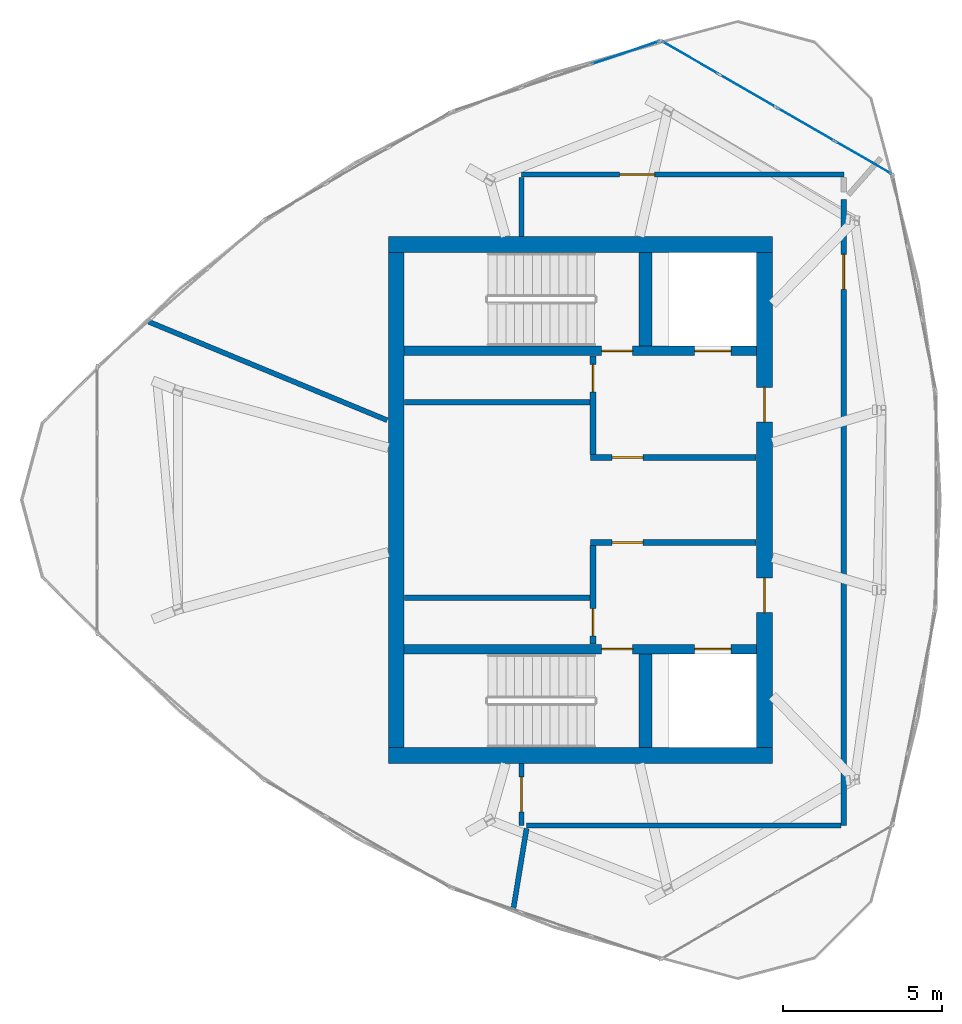
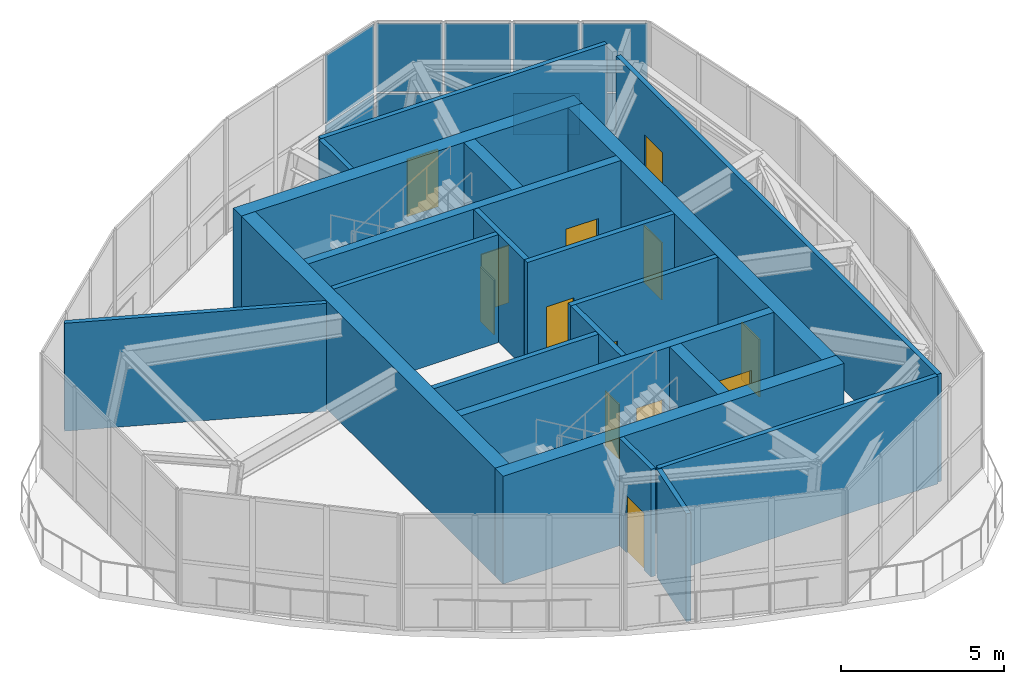
# One storey, part 7 of 10: 21 walls, 13 doors, 9 plates, 13 openings, 2 elements without a shape of their own.
"""IFC4 building model written with IfcOpenShell, lengths in metres."""

import ifcopenshell
import ifcopenshell.guid

model = None  # the IFC model being written
_history = None  # IfcOwnerHistory: only IFC2X3 demands one
_inside = {}  # id of a spatial element -> (the spatial element, [elements in it])
_under = {}  # id of a project, library or spatial element -> (it, [spatial elements below it])
_declared = {}  # id of a project -> (the project, [libraries it declares])
_typed = {}  # id of a type object -> (the type object, [elements of that type])
_made_of = {}  # id of a material, layer set ... -> (it, [elements and type objects made of it])


def new_model(schema):
    """Start an empty IFC model of exactly this schema.

    Asked for "IFC4X3", IfcOpenShell would pick the latest addendum, in which some entities
    have other attributes; the version numbers below select the first issue.
    IFC2X3 requires an IfcOwnerHistory on every rooted entity: one is made here for all.
    """
    global model, _history
    if schema == "IFC4X3":
        model = ifcopenshell.file(schema_version=(4, 3, 0, 0))
    else:
        model = ifcopenshell.file(schema=schema)
    _inside.clear()
    _under.clear()
    _declared.clear()
    _typed.clear()
    _made_of.clear()
    _history = None
    if model.schema == "IFC2X3":
        org = make("IfcOrganization", Name="unknown")
        user = make(
            "IfcPersonAndOrganization",
            ThePerson=make("IfcPerson", FamilyName="unknown"),
            TheOrganization=org,
        )
        app = make(
            "IfcApplication",
            ApplicationDeveloper=org,
            Version="unknown",
            ApplicationFullName="unknown",
            ApplicationIdentifier="unknown",
        )
        _history = make(
            "IfcOwnerHistory",
            OwningUser=user,
            OwningApplication=app,
            ChangeAction="ADDED",
            CreationDate=0,
        )
    return model


def make(cls, **values):
    """One entity of the class cls with the attributes given. An attribute that is None is left unset."""
    return model.create_entity(
        cls, **{name: value for name, value in values.items() if value is not None}
    )


def rooted(cls, **values):
    """An entity with a GlobalId (a new one), such as an element, a storey or a relation."""
    return make(cls, GlobalId=ifcopenshell.guid.new(), OwnerHistory=_history, **values)


def si_unit(unit_type, name, prefix=None):
    """IfcSIUnit, for example si_unit("LENGTHUNIT", "METRE", prefix="MILLI")."""
    return make("IfcSIUnit", UnitType=unit_type, Prefix=prefix, Name=name)


def assignment(units):
    """IfcUnitAssignment: the units of a project."""
    return None if units is None else make("IfcUnitAssignment", Units=units)


def point(xyz):
    """IfcCartesianPoint."""
    return None if xyz is None else make("IfcCartesianPoint", Coordinates=xyz)


def direction(xyz):
    """IfcDirection."""
    return None if xyz is None else make("IfcDirection", DirectionRatios=xyz)


def frame(location, z_axis=None, x_axis=None):
    """IfcAxis2Placement3D, a coordinate frame: its origin and axes. An axis left out is left unset."""
    return make(
        "IfcAxis2Placement3D",
        Location=point(location),
        Axis=direction(z_axis),
        RefDirection=direction(x_axis),
    )


def frame_2d(location, x_axis=None):
    """IfcAxis2Placement2D, a coordinate frame in the plane: its origin and x axis."""
    return make(
        "IfcAxis2Placement2D", Location=point(location), RefDirection=direction(x_axis)
    )


def origin():
    """The frame at (0, 0, 0) with its axes left unset."""
    return frame((0.0, 0.0, 0.0))


def origin_2d():
    """The frame at (0, 0) in the plane with its x axis left unset."""
    return frame_2d((0.0, 0.0))


def place(relative_to, where):
    """IfcLocalPlacement: puts the frame where relative to a parent placement (None: the world)."""
    return make(
        "IfcLocalPlacement", PlacementRelTo=relative_to, RelativePlacement=where
    )


def context(
    kind, dimensions, precision=None, world=None, true_north=None, identifier=None
):
    """IfcGeometricRepresentationContext, for example the 3D "Model" context."""
    return make(
        "IfcGeometricRepresentationContext",
        ContextIdentifier=identifier,
        ContextType=kind,
        CoordinateSpaceDimension=dimensions,
        Precision=precision,
        WorldCoordinateSystem=world,
        TrueNorth=true_north,
    )


def subcontext(parent, identifier, kind, view, scale=None):
    """IfcGeometricRepresentationSubContext, for example "Body" below "Model"."""
    return make(
        "IfcGeometricRepresentationSubContext",
        ContextIdentifier=identifier,
        ContextType=kind,
        ParentContext=parent,
        TargetScale=scale,
        TargetView=view,
    )


def project(units=None, contexts=None):
    """IfcProject with its units and contexts."""
    return rooted(
        "IfcProject",
        Name="project",
        RepresentationContexts=contexts,
        UnitsInContext=assignment(units),
    )


def spatial(cls, under=None, at=None, **own):
    """A site, building, storey or space (cls), placed at a placement, below another one or the project."""
    s = rooted(cls, ObjectPlacement=at, **own)
    if under is not None:
        _under.setdefault(under.id(), (under, []))[1].append(s)
    return s


def profile(cls, at=None, kind="AREA", **sizes):
    """A parametric profile (cls). Its sizes go by their IFC names, for example OverallWidth=200.0."""
    return make(cls, ProfileType=kind, Position=at, **sizes)


def rectangle(**sizes):
    """IfcRectangleProfileDef."""
    return profile("IfcRectangleProfileDef", **sizes)


def extrude(swept, where, along, depth):
    """IfcExtrudedAreaSolid: the profile swept, set in the frame where, extruded along a direction by depth."""
    return make(
        "IfcExtrudedAreaSolid",
        SweptArea=swept,
        Position=where,
        ExtrudedDirection=direction(along),
        Depth=depth,
    )


def shape(context_of_items, identifier, shape_type, items):
    """IfcShapeRepresentation: the items that make up one representation, for example the "Body"."""
    return make(
        "IfcShapeRepresentation",
        ContextOfItems=context_of_items,
        RepresentationIdentifier=identifier,
        RepresentationType=shape_type,
        Items=items,
    )


def source(mapping_origin, context_of_items, identifier, shape_type, items):
    """IfcRepresentationMap: a shape defined once, which mapped items show again and again."""
    return make(
        "IfcRepresentationMap",
        MappingOrigin=mapping_origin,
        MappedRepresentation=shape(context_of_items, identifier, shape_type, items),
    )


def transform(
    local_origin,
    x_axis=None,
    y_axis=None,
    z_axis=None,
    scale=None,
    scale2=None,
    scale3=None,
    uniform=True,
):
    """IfcCartesianTransformationOperator3D, or its non-uniform kind. x_axis, y_axis, z_axis: its Axis1, 2, 3."""
    if uniform:
        return make(
            "IfcCartesianTransformationOperator3D",
            Axis1=direction(x_axis),
            Axis2=direction(y_axis),
            LocalOrigin=point(local_origin),
            Scale=scale,
            Axis3=direction(z_axis),
        )
    return make(
        "IfcCartesianTransformationOperator3DnonUniform",
        Axis1=direction(x_axis),
        Axis2=direction(y_axis),
        LocalOrigin=point(local_origin),
        Scale=scale,
        Axis3=direction(z_axis),
        Scale2=scale2,
        Scale3=scale3,
    )


def mapped(mapping_source, mapping_target):
    """IfcMappedItem: shows the shape of a source again, moved by a transform."""
    return make(
        "IfcMappedItem", MappingSource=mapping_source, MappingTarget=mapping_target
    )


def material(Name=None, Category=None):
    """IfcMaterial."""
    return make("IfcMaterial", Name=Name, Category=Category)


def layer(
    of_material, thickness, ventilated=None, Name=None, Category=None, Priority=None
):
    """IfcMaterialLayer: one layer of a wall or slab, of a material (None: an air gap)."""
    return make(
        "IfcMaterialLayer",
        Material=of_material,
        LayerThickness=thickness,
        IsVentilated=ventilated,
        Name=Name,
        Category=Category,
        Priority=Priority,
    )


def layer_set(layers, Name=None):
    """IfcMaterialLayerSet."""
    return make("IfcMaterialLayerSet", MaterialLayers=layers, LayerSetName=Name)


def made_of(thing, what):
    """Note that an element or type object is made of a material, layer set ...; save() writes the relation."""
    if what is not None:
        _made_of.setdefault(what.id(), (what, []))[1].append(thing)
    return thing


def type_object(cls, material=None, **own):
    """A type object (cls), such as IfcWallType, which elements share."""
    return made_of(rooted(cls, **own), material)


def element(
    cls,
    number,
    at=None,
    inside=None,
    cuts=None,
    type_object=None,
    material=None,
    context=None,
    identifier="Body",
    shape_type=None,
    held_by="IfcProductDefinitionShape",
    body=None,
    shapes=None,
    **own,
):
    """One element of the class cls, such as IfcWall. Its Tag is "e" and its number.

    at: its placement. inside: the storey or other place that contains it. cuts: it is an
    opening in that element (IfcRelVoidsElement). A single representation is given by context,
    identifier, shape_type and body (its items); several are given by shapes. held_by: the class
    of the entity that holds the representations. save() writes the other relations.
    """
    e = rooted(cls, Tag="e%d" % number, ObjectPlacement=at, **own)
    if body is not None:
        shapes = [shape(context, identifier, shape_type, body)]
    if shapes is not None:
        e.Representation = make(held_by, Representations=shapes)
    if inside is not None:
        _inside.setdefault(inside.id(), (inside, []))[1].append(e)
    if cuts is not None:
        rooted(
            "IfcRelVoidsElement", RelatingBuildingElement=cuts, RelatedOpeningElement=e
        )
    if type_object is not None:
        _typed.setdefault(type_object.id(), (type_object, []))[1].append(e)
    return made_of(e, material)


def fill(opening, filler):
    """IfcRelFillsElement: the door or window that sits in an opening."""
    return rooted(
        "IfcRelFillsElement",
        RelatingOpeningElement=opening,
        RelatedBuildingElement=filler,
    )


def aggregate(whole, parts):
    """IfcRelAggregates: a whole, such as a stair, and the parts it consists of."""
    return rooted("IfcRelAggregates", RelatingObject=whole, RelatedObjects=parts)


def save(model, path):
    """Write the relations noted so far, then the file.

    IfcRelAggregates (storeys below a building ...), IfcRelContainedInSpatialStructure (elements
    in a storey), IfcRelDefinesByType, IfcRelAssociatesMaterial and IfcRelDeclares: one each for
    every whole, place, type object, material and project.
    """
    for whole, parts in _under.values():
        aggregate(whole, parts)
    for where, things in _inside.values():
        rooted(
            "IfcRelContainedInSpatialStructure",
            RelatedElements=things,
            RelatingStructure=where,
        )
    for kind, things in _typed.values():
        rooted("IfcRelDefinesByType", RelatedObjects=things, RelatingType=kind)
    for what, things in _made_of.values():
        rooted("IfcRelAssociatesMaterial", RelatedObjects=things, RelatingMaterial=what)
    for by, libraries in _declared.values():
        rooted("IfcRelDeclares", RelatingContext=by, RelatedDefinitions=libraries)
    model.write(path)


model = new_model("IFC4")

# Units and contexts
model_context = context("Model", 3, precision=1e-05, world=origin(), true_north=direction((0.0, 1.0)))
body_context = subcontext(model_context, "Body", "Model", "MODEL_VIEW")
ifc_project = project(units=[si_unit("LENGTHUNIT", "METRE"), si_unit("AREAUNIT", "SQUARE_METRE"), si_unit("VOLUMEUNIT", "CUBIC_METRE"), si_unit("PLANEANGLEUNIT", "RADIAN"), si_unit("MASSUNIT", "GRAM", prefix="KILO")], contexts=[model_context])

# Site, building, storey
site_placement = place(None, origin())
site = spatial("IfcSite", under=ifc_project, at=site_placement, CompositionType="ELEMENT")
building_placement = place(site_placement, origin())
building = spatial("IfcBuilding", under=site, at=building_placement, Name="Qafzar Sky-Pleat Residences", CompositionType="ELEMENT")
storey_placement = place(building_placement, frame((0.0, 0.0, 261.800048828125)))
storey = spatial("IfcBuildingStorey", under=building, at=storey_placement, Name="L78 Crown", CompositionType="ELEMENT", Elevation=261.800048828125)

# Curtain wall, plates
ifc_material_1 = material(Name="Anodised bronze aluminium framing", Category="aluminium")
ifc_layer_1 = layer(ifc_material_1, 0.179931640625)
ifc_layer_set_1 = layer_set([ifc_layer_1], Name="Anodised bronze aluminium framing")
curtain_wall_type = type_object("IfcCurtainWallType", Name="CW-SYS-06", PredefinedType="NOTDEFINED", material=ifc_layer_set_1)
curtain_wall_1_placement = place(storey_placement, origin())
curtain_wall_1 = element("IfcCurtainWall", 1, at=curtain_wall_1_placement, inside=storey, type_object=curtain_wall_type, Name="L78 Crown CW-06 Curtain Wall CW-CROWN-03-09", PredefinedType="NOTDEFINED")
ifc_material_2 = material(Name="Solar-control double low-E glazing", Category="glass")
ifc_layer_2 = layer(ifc_material_2, 0.02587890625)
ifc_layer_set_2 = layer_set([ifc_layer_2], Name="Solar-control double low-E glazing")
plate_type = type_object("IfcPlateType", Name="CWP-06", PredefinedType="CURTAIN_PANEL", material=ifc_layer_set_2)
shared_shape_1 = source(origin(), body_context, "Body", "SweptSolid", [
    extrude(rectangle(XDim=2.01953125, YDim=0.02587890625, at=origin_2d()), origin(), (0.0, 0.0, 1.0), 1.5439453125),
])
plate_1_placement = place(storey_placement, frame((39.268798828125, 36.78759765625, 0.06005859375), z_axis=(0.0, 0.0, 1.0), x_axis=(-0.866024160313, 0.500002153749, 0.0)))
plate_1 = element("IfcPlate", 2, at=plate_1_placement, type_object=plate_type, Name="CW-06 panel 1.1", PredefinedType="CURTAIN_PANEL", context=body_context, shape_type="MappedRepresentation", body=[
    mapped(shared_shape_1, transform((0.0, 0.0, 0.0), x_axis=(1.0, 0.0, 0.0), y_axis=(0.0, 1.0, 0.0), z_axis=(0.0, 0.0, 1.0), scale=1.0)),
])
plate_2_placement = place(storey_placement, frame((33.81396484375, 39.93701171875, 0.06005859375), z_axis=(0.0, 0.0, 1.0), x_axis=(-0.866024160313, 0.500002153749, 0.0)))
plate_2 = element("IfcPlate", 3, at=plate_2_placement, type_object=plate_type, Name="CW-06 panel 4.1", PredefinedType="CURTAIN_PANEL", context=body_context, shape_type="MappedRepresentation", body=[
    mapped(shared_shape_1, transform((0.0, 0.0, 0.0), x_axis=(1.0, 0.0, 0.0), y_axis=(0.0, 1.0, 0.0), z_axis=(0.0, 0.0, 1.0), scale=1.0)),
])
shared_shape_2 = source(origin(), body_context, "Body", "SweptSolid", [
    extrude(rectangle(XDim=2.01953125, YDim=0.02587890625, at=origin_2d()), origin(), (0.0, 0.0, 1.0), 2.575927734375),
])
plate_3_placement = place(storey_placement, frame((39.268798828125, 36.78759765625, 1.6640625), z_axis=(0.0, 0.0, 1.0), x_axis=(-0.866024160313, 0.500002153749, 0.0)))
plate_3 = element("IfcPlate", 4, at=plate_3_placement, type_object=plate_type, Name="CW-06 panel 1.2", PredefinedType="CURTAIN_PANEL", context=body_context, shape_type="MappedRepresentation", body=[
    mapped(shared_shape_2, transform((0.0, 0.0, 0.0), x_axis=(1.0, 0.0, 0.0), y_axis=(0.0, 1.0, 0.0), z_axis=(0.0, 0.0, 1.0), scale=1.0)),
])
plate_4_placement = place(storey_placement, frame((33.81396484375, 39.93701171875, 1.6640625), z_axis=(0.0, 0.0, 1.0), x_axis=(-0.866024160313, 0.500002153749, 0.0)))
plate_4 = element("IfcPlate", 5, at=plate_4_placement, type_object=plate_type, Name="CW-06 panel 4.2", PredefinedType="CURTAIN_PANEL", context=body_context, shape_type="MappedRepresentation", body=[
    mapped(shared_shape_2, transform((0.0, 0.0, 0.0), x_axis=(1.0, 0.0, 0.0), y_axis=(0.0, 1.0, 0.0), z_axis=(0.0, 0.0, 1.0), scale=1.0)),
])
shared_shape_3 = source(origin(), body_context, "Body", "SweptSolid", [
    extrude(rectangle(XDim=2.049560546875, YDim=0.02587890625, at=origin_2d()), origin(), (0.0, 0.0, 1.0), 1.5439453125),
])
plate_5_placement = place(storey_placement, frame((37.454833984375, 37.834716796875, 0.06005859375), z_axis=(0.0, 0.0, 1.0), x_axis=(-0.866024160313, 0.500002153749, 0.0)))
plate_5 = element("IfcPlate", 6, at=plate_5_placement, type_object=plate_type, Name="CW-06 panel 2.1", PredefinedType="CURTAIN_PANEL", context=body_context, shape_type="MappedRepresentation", body=[
    mapped(shared_shape_3, transform((0.0, 0.0, 0.0), x_axis=(1.0, 0.0, 0.0), y_axis=(0.0, 1.0, 0.0), z_axis=(0.0, 0.0, 1.0), scale=1.0)),
])
shared_shape_4 = source(origin(), body_context, "Body", "SweptSolid", [
    extrude(rectangle(XDim=2.049560546875, YDim=0.02587890625, at=origin_2d()), origin(), (0.0, 0.0, 1.0), 2.575927734375),
])
plate_6_placement = place(storey_placement, frame((37.454833984375, 37.834716796875, 1.6640625), z_axis=(0.0, 0.0, 1.0), x_axis=(-0.866024160313, 0.500002153749, 0.0)))
plate_6 = element("IfcPlate", 7, at=plate_6_placement, type_object=plate_type, Name="CW-06 panel 2.2", PredefinedType="CURTAIN_PANEL", context=body_context, shape_type="MappedRepresentation", body=[
    mapped(shared_shape_4, transform((0.0, 0.0, 0.0), x_axis=(1.0, 0.0, 0.0), y_axis=(0.0, 1.0, 0.0), z_axis=(0.0, 0.0, 1.0), scale=1.0)),
])
plate_7_placement = place(storey_placement, frame((35.6279296875, 38.8896484375, 1.6640625), z_axis=(0.0, 0.0, 1.0), x_axis=(-0.866024160313, 0.500002153749, 0.0)))
plate_7 = element("IfcPlate", 8, at=plate_7_placement, type_object=plate_type, Name="CW-06 panel 3.2", PredefinedType="CURTAIN_PANEL", context=body_context, shape_type="MappedRepresentation", body=[
    mapped(shared_shape_4, transform((0.0, 0.0, 0.0), x_axis=(1.0, 0.0, 0.0), y_axis=(0.0, 1.0, 0.0), z_axis=(0.0, 0.0, 1.0), scale=1.0)),
])
aggregate(curtain_wall_1, [plate_1, plate_3, plate_5, plate_6, plate_7, plate_2, plate_4])

curtain_wall_2_placement = place(storey_placement, origin())
curtain_wall_2 = element("IfcCurtainWall", 9, at=curtain_wall_2_placement, inside=storey, type_object=curtain_wall_type, Name="L78 Crown CW-06 Curtain Wall CW-CROWN-03-10", PredefinedType="NOTDEFINED")
shared_shape_5 = source(origin(), body_context, "Body", "SweptSolid", [
    extrude(rectangle(XDim=2.2333984375, YDim=0.02587890625, at=origin_2d()), origin(), (0.0, 0.0, 1.0), 1.5439453125),
])
plate_8_placement = place(storey_placement, frame((31.772705078125, 40.0947265625, 0.06005859375), z_axis=(0.0, 0.0, 1.0), x_axis=(-0.947265087095, -0.320451017741, 0.0)))
plate_8 = element("IfcPlate", 10, at=plate_8_placement, type_object=plate_type, Name="CW-06 panel 1.1", PredefinedType="CURTAIN_PANEL", context=body_context, shape_type="MappedRepresentation", body=[
    mapped(shared_shape_5, transform((0.0, 0.0, 0.0), x_axis=(1.0, 0.0, 0.0), y_axis=(0.0, 1.0, 0.0), z_axis=(0.0, 0.0, 1.0), scale=1.0)),
])
shared_shape_6 = source(origin(), body_context, "Body", "SweptSolid", [
    extrude(rectangle(XDim=2.2333984375, YDim=0.02587890625, at=origin_2d()), origin(), (0.0, 0.0, 1.0), 2.575927734375),
])
plate_9_placement = place(storey_placement, frame((31.772705078125, 40.0947265625, 1.6640625), z_axis=(0.0, 0.0, 1.0), x_axis=(-0.947265087095, -0.320451017741, 0.0)))
plate_9 = element("IfcPlate", 11, at=plate_9_placement, type_object=plate_type, Name="CW-06 panel 1.2", PredefinedType="CURTAIN_PANEL", context=body_context, shape_type="MappedRepresentation", body=[
    mapped(shared_shape_6, transform((0.0, 0.0, 0.0), x_axis=(1.0, 0.0, 0.0), y_axis=(0.0, 1.0, 0.0), z_axis=(0.0, 0.0, 1.0), scale=1.0)),
])
aggregate(curtain_wall_2, [plate_8, plate_9])

# Wall, opening, door
ifc_material_3 = material(Name="Acoustic gypsum plasterboard partition", Category="gypsum")
ifc_layer_3 = layer(ifc_material_3, 0.159912109375)
ifc_layer_set_3 = layer_set([ifc_layer_3], Name="Acoustic gypsum plasterboard partition")
wall_type_1 = type_object("IfcWallType", Name="PART-COR-160", PredefinedType="PARTITIONING", material=ifc_layer_set_3)
wall_1_placement = place(storey_placement, frame((38.64990234375, 35.470947265625, 0.0), z_axis=(0.0, 0.0, 1.0), x_axis=(0.0, -1.0, 0.0)))
wall_1 = element("IfcWall", 12, at=wall_1_placement, inside=storey, type_object=wall_type_1, Name="L78 Crown Partition Wall PART-L78_Crown-PW-001", PredefinedType="PARTITIONING", context=body_context, shape_type="SweptSolid", body=[
    extrude(rectangle(XDim=19.720947265625, YDim=0.159912109375, at=frame_2d((9.8603515625, 0.0))), origin(), (0.0, 0.0, 1.0), 4.050048828125),
])
opening_1_placement = place(wall_1_placement, frame((1.735107421875, 0.0, 0.0)))
opening_1 = element("IfcOpeningElement", 13, at=opening_1_placement, cuts=wall_1, Name="Opening ID-02", PredefinedType="OPENING", context=body_context, shape_type="SweptSolid", body=[
    extrude(rectangle(XDim=1.10009765625, YDim=2.14990234375, at=frame_2d((0.550048828125, 1.074951171875))), frame((0.0, 0.08984375, 0.0), z_axis=(0.0, -1.0, 0.0), x_axis=(1.0, 0.0, 0.0)), (0.0, 0.0, 1.0), 0.179931640625),
])
ifc_material_4 = material(Name="Timber-faced fire door", Category="wood")
door_type_1 = type_object("IfcDoorType", Name="DR-FFL-1100", OperationType="NOTDEFINED", PredefinedType="DOOR", material=ifc_material_4)
shared_shape_7 = source(origin(), body_context, "Body", "SweptSolid", [
    extrude(rectangle(XDim=1.10009765625, YDim=2.14990234375, at=frame_2d((0.550048828125, 1.074951171875))), frame((0.0, 0.02490234375, 0.0), z_axis=(0.0, -1.0, 0.0), x_axis=(1.0, 0.0, 0.0)), (0.0, 0.0, 1.0), 0.050048828125),
])
door_1_placement = place(opening_1_placement, origin())
door_1 = element("IfcDoor", 14, at=door_1_placement, inside=storey, type_object=door_type_1, Name="L78 Crown Crown Faceted Curtain-Wall Maintenance Plant Room Door", OperationType="SINGLE_SWING_RIGHT", OverallHeight=2.14990234375, OverallWidth=1.10009765625, PredefinedType="DOOR", context=body_context, shape_type="MappedRepresentation", body=[
    mapped(shared_shape_7, transform((0.0, 0.0, 0.0), x_axis=(1.0, 0.0, 0.0), y_axis=(0.0, 1.0, 0.0), z_axis=(0.0, 0.0, 1.0), scale=1.0)),
])
fill(opening_1, door_1)

wall_2_placement = place(storey_placement, frame((38.64990234375, 36.25, 0.0), z_axis=(0.0, 0.0, 1.0), x_axis=(-1.0, 0.0, 0.0)))
wall_2 = element("IfcWall", 15, at=wall_2_placement, inside=storey, type_object=wall_type_1, Name="L78 Crown Partition Wall PART-L78_Crown-PW-002", PredefinedType="PARTITIONING", context=body_context, shape_type="SweptSolid", body=[
    extrude(rectangle(XDim=10.14990234375, YDim=0.159912109375, at=frame_2d((5.074951171875, 0.0))), origin(), (0.0, 0.0, 1.0), 4.050048828125),
])
opening_2_placement = place(wall_2_placement, frame((5.9599609375, 0.0, 0.0)))
opening_2 = element("IfcOpeningElement", 16, at=opening_2_placement, cuts=wall_2, Name="Opening ID-02", PredefinedType="OPENING", context=body_context, shape_type="SweptSolid", body=[
    extrude(rectangle(XDim=1.10009765625, YDim=2.14990234375, at=frame_2d((0.550048828125, 1.074951171875))), frame((0.0, 0.08984375, 0.0), z_axis=(0.0, -1.0, 0.0), x_axis=(1.0, 0.0, 0.0)), (0.0, 0.0, 1.0), 0.179931640625),
])
door_2_placement = place(opening_2_placement, origin())
door_2 = element("IfcDoor", 17, at=door_2_placement, inside=storey, type_object=door_type_1, Name="L78 Crown Crown BMS and Telemetry Mechanical Room Door", OperationType="SINGLE_SWING_LEFT", OverallHeight=2.14990234375, OverallWidth=1.10009765625, PredefinedType="DOOR", context=body_context, shape_type="MappedRepresentation", body=[
    mapped(shared_shape_7, transform((0.0, 0.0, 0.0), x_axis=(1.0, 0.0, 0.0), y_axis=(0.0, 1.0, 0.0), z_axis=(0.0, 0.0, 1.0), scale=1.0)),
])
fill(opening_2, door_2)

wall_3_placement = place(storey_placement, frame((28.5, 15.75, 0.0), z_axis=(0.0, 0.0, 1.0), x_axis=(0.0, 1.0, 0.0)))
wall_3 = element("IfcWall", 18, at=wall_3_placement, inside=storey, type_object=wall_type_1, Name="L78 Crown Partition Wall PART-L78_Crown-PW-003", PredefinedType="PARTITIONING", context=body_context, shape_type="SweptSolid", body=[
    extrude(rectangle(XDim=1.94189453125, YDim=0.159912109375, at=frame_2d((0.970947265625, 0.0))), origin(), (0.0, 0.0, 1.0), 4.050048828125),
])
opening_3_placement = place(wall_3_placement, frame((0.425048828125, 0.0, 0.0)))
opening_3 = element("IfcOpeningElement", 19, at=opening_3_placement, cuts=wall_3, Name="Opening ID-02", PredefinedType="OPENING", context=body_context, shape_type="SweptSolid", body=[
    extrude(rectangle(XDim=1.10009765625, YDim=2.14990234375, at=frame_2d((0.550048828125, 1.074951171875))), frame((0.0, 0.08984375, 0.0), z_axis=(0.0, -1.0, 0.0), x_axis=(1.0, 0.0, 0.0)), (0.0, 0.0, 1.0), 0.179931640625),
])
door_3_placement = place(opening_3_placement, origin())
door_3 = element("IfcDoor", 20, at=door_3_placement, inside=storey, type_object=door_type_1, Name="L78 Crown Crown Pressurization and Extract Fan Plant Room Door", OperationType="SINGLE_SWING_RIGHT", OverallHeight=2.14990234375, OverallWidth=1.10009765625, PredefinedType="DOOR", context=body_context, shape_type="MappedRepresentation", body=[
    mapped(shared_shape_7, transform((0.0, 0.0, 0.0), x_axis=(1.0, 0.0, 0.0), y_axis=(0.0, 1.0, 0.0), z_axis=(0.0, 0.0, 1.0), scale=1.0)),
])
fill(opening_3, door_3)

# Walls
wall_4_placement = place(storey_placement, frame((28.655029296875, 15.75, 0.0), z_axis=(0.0, 0.0, 1.0), x_axis=(1.0, 0.0, 0.0)))
element("IfcWall", 21, at=wall_4_placement, inside=storey, type_object=wall_type_1, Name="L78 Crown Partition Wall PART-L78_Crown-PW-004", PredefinedType="PARTITIONING", context=body_context, shape_type="SweptSolid", body=[
    extrude(rectangle(XDim=9.906982421875, YDim=0.159912109375, at=frame_2d((4.95361328125, 0.0))), origin(), (0.0, 0.0, 1.0), 4.050048828125),
])
wall_5_placement = place(storey_placement, frame((16.7548828125, 31.61376953125, 0.0), z_axis=(0.0, 0.0, 1.0), x_axis=(0.924294163269, -0.381680887323, 0.0)))
element("IfcWall", 22, at=wall_5_placement, inside=storey, type_object=wall_type_1, Name="L78 Crown Partition Wall PART-L78_Crown-PW-005", PredefinedType="PARTITIONING", context=body_context, shape_type="SweptSolid", body=[
    extrude(rectangle(XDim=8.122314453125, YDim=0.159912109375, at=frame_2d((4.06103515625, 0.0))), origin(), (0.0, 0.0, 1.0), 4.050048828125),
])
wall_6_placement = place(storey_placement, frame((28.2412109375, 13.128173828125, 0.0), z_axis=(0.0, 0.0, 1.0), x_axis=(0.161794860742, 0.986824413479, 0.0)))
element("IfcWall", 23, at=wall_6_placement, inside=storey, type_object=wall_type_1, Name="L78 Crown Partition Wall PART-L78_Crown-PW-006", PredefinedType="PARTITIONING", context=body_context, shape_type="SweptSolid", body=[
    extrude(rectangle(XDim=2.5546875, YDim=0.159912109375, at=frame_2d((1.27734375, 0.0))), origin(), (0.0, 0.0, 1.0), 4.050048828125),
])
wall_7_placement = place(storey_placement, frame((28.5, 34.30810546875, 0.0), z_axis=(0.0, 0.0, 1.0), x_axis=(0.0, 1.0, 0.0)))
element("IfcWall", 24, at=wall_7_placement, inside=storey, type_object=wall_type_1, Name="L78 Crown Partition Wall PART-L78_Crown-PW-007", PredefinedType="PARTITIONING", context=body_context, shape_type="SweptSolid", body=[
    extrude(rectangle(XDim=1.85400390625, YDim=0.159912109375, at=frame_2d((0.927001953125, 0.0))), origin(), (0.0, 0.0, 1.0), 4.050048828125),
])

# Wall, opening, door
ifc_material_5 = material(Name="Concrete blockwork partition", Category="masonry")
ifc_layer_4 = layer(ifc_material_5, 0.179931640625)
ifc_layer_set_4 = layer_set([ifc_layer_4], Name="Concrete blockwork partition")
wall_type_2 = type_object("IfcWallType", Name="PART-SHAFT-180", PredefinedType="PARTITIONING", material=ifc_layer_set_4)
wall_8_placement = place(storey_placement, frame((30.75, 21.4599609375, 0.0), z_axis=(0.0, 0.0, 1.0), x_axis=(0.0, 1.0, 0.0)))
wall_8 = element("IfcWall", 25, at=wall_8_placement, inside=storey, type_object=wall_type_2, Name="L78 Crown Partition Wall PART-L78_Crown-FFL1-W", PredefinedType="PARTITIONING", context=body_context, shape_type="SweptSolid", body=[
    extrude(rectangle(XDim=3.110107421875, YDim=0.179931640625, at=frame_2d((1.55517578125, 0.0))), origin(), (0.0, 0.0, 1.0), 4.050048828125),
])
opening_4_placement = place(wall_8_placement, frame((0.260009765625, 0.0, 0.0)))
opening_4 = element("IfcOpeningElement", 26, at=opening_4_placement, cuts=wall_8, Name="Opening ID-09", PredefinedType="OPENING", context=body_context, shape_type="SweptSolid", body=[
    extrude(rectangle(XDim=0.860107421875, YDim=2.050048828125, at=frame_2d((0.43017578125, 1.02490234375))), frame((0.0, 0.10009765625, 0.0), z_axis=(0.0, -1.0, 0.0), x_axis=(1.0, 0.0, 0.0)), (0.0, 0.0, 1.0), 0.199951171875),
])
door_type_2 = type_object("IfcDoorType", Name="DR-SVC-860", OperationType="NOTDEFINED", PredefinedType="DOOR", material=ifc_material_4)
shared_shape_8 = source(origin(), body_context, "Body", "SweptSolid", [
    extrude(rectangle(XDim=0.860107421875, YDim=2.050048828125, at=frame_2d((0.43017578125, 1.02490234375))), frame((0.0, 0.02490234375, 0.0), z_axis=(0.0, -1.0, 0.0), x_axis=(1.0, 0.0, 0.0)), (0.0, 0.0, 1.0), 0.050048828125),
])
door_4_placement = place(opening_4_placement, origin())
door_4 = element("IfcDoor", 27, at=door_4_placement, inside=storey, type_object=door_type_2, Name="L78 Crown South Core Cupboard Door", OperationType="SINGLE_SWING_RIGHT", OverallHeight=2.050048828125, OverallWidth=0.860107421875, PredefinedType="DOOR", context=body_context, shape_type="MappedRepresentation", body=[
    mapped(shared_shape_8, transform((0.0, 0.0, 0.0), x_axis=(1.0, 0.0, 0.0), y_axis=(0.0, 1.0, 0.0), z_axis=(0.0, 0.0, 1.0), scale=1.0)),
])
fill(opening_4, door_4)

wall_9_placement = place(storey_placement, frame((30.669921875, 24.659912109375, 0.0), z_axis=(0.0, 0.0, 1.0), x_axis=(1.0, 0.0, 0.0)))
wall_9 = element("IfcWall", 28, at=wall_9_placement, inside=storey, type_object=wall_type_2, Name="L78 Crown Partition Wall PART-L78_Crown-FFL1-N", PredefinedType="PARTITIONING", context=body_context, shape_type="SweptSolid", body=[
    extrude(rectangle(XDim=5.219970703125, YDim=0.179931640625, at=frame_2d((2.60986328125, 0.0))), origin(), (0.0, 0.0, 1.0), 4.050048828125),
])
opening_5_placement = place(wall_9_placement, frame((0.679931640625, 0.0, 0.0)))
opening_5 = element("IfcOpeningElement", 29, at=opening_5_placement, cuts=wall_9, Name="Opening ID-01", PredefinedType="OPENING", context=body_context, shape_type="SweptSolid", body=[
    extrude(rectangle(XDim=0.97998046875, YDim=2.14990234375, at=frame_2d((0.489990234375, 1.074951171875))), frame((0.0, 0.10009765625, 0.0), z_axis=(0.0, -1.0, 0.0), x_axis=(1.0, 0.0, 0.0)), (0.0, 0.0, 1.0), 0.199951171875),
])
door_type_3 = type_object("IfcDoorType", Name="DR-STAIR-980", OperationType="NOTDEFINED", PredefinedType="DOOR", material=ifc_material_4)
shared_shape_9 = source(origin(), body_context, "Body", "SweptSolid", [
    extrude(rectangle(XDim=0.97998046875, YDim=2.14990234375, at=frame_2d((0.489990234375, 1.074951171875))), frame((0.0, 0.02490234375, 0.0), z_axis=(0.0, -1.0, 0.0), x_axis=(1.0, 0.0, 0.0)), (0.0, 0.0, 1.0), 0.050048828125),
])
door_5_placement = place(opening_5_placement, origin())
door_5 = element("IfcDoor", 30, at=door_5_placement, inside=storey, type_object=door_type_3, Name="L78 Crown Lift Lobby to South Firefighting Lobby Door", OperationType="SINGLE_SWING_LEFT", OverallHeight=2.14990234375, OverallWidth=0.97998046875, PredefinedType="DOOR", context=body_context, shape_type="MappedRepresentation", body=[
    mapped(shared_shape_9, transform((0.0, 0.0, 0.0), x_axis=(1.0, 0.0, 0.0), y_axis=(0.0, 1.0, 0.0), z_axis=(0.0, 0.0, 1.0), scale=1.0)),
])
fill(opening_5, door_5)

wall_10_placement = place(storey_placement, frame((30.75, 27.429931640625, 0.0), z_axis=(0.0, 0.0, 1.0), x_axis=(0.0, 1.0, 0.0)))
wall_10 = element("IfcWall", 31, at=wall_10_placement, inside=storey, type_object=wall_type_2, Name="L78 Crown Partition Wall PART-L78_Crown-FFL2-W", PredefinedType="PARTITIONING", context=body_context, shape_type="SweptSolid", body=[
    extrude(rectangle(XDim=3.110107421875, YDim=0.179931640625, at=frame_2d((1.55517578125, 0.0))), origin(), (0.0, 0.0, 1.0), 4.050048828125),
])
opening_6_placement = place(wall_10_placement, frame((1.97998046875, 0.0, 0.0)))
opening_6 = element("IfcOpeningElement", 32, at=opening_6_placement, cuts=wall_10, Name="Opening ID-09", PredefinedType="OPENING", context=body_context, shape_type="SweptSolid", body=[
    extrude(rectangle(XDim=0.860107421875, YDim=2.050048828125, at=frame_2d((0.43017578125, 1.02490234375))), frame((0.0, 0.10009765625, 0.0), z_axis=(0.0, -1.0, 0.0), x_axis=(1.0, 0.0, 0.0)), (0.0, 0.0, 1.0), 0.199951171875),
])
door_6_placement = place(opening_6_placement, origin())
door_6 = element("IfcDoor", 33, at=door_6_placement, inside=storey, type_object=door_type_2, Name="L78 Crown North Core Cupboard Door", OperationType="SINGLE_SWING_RIGHT", OverallHeight=2.050048828125, OverallWidth=0.860107421875, PredefinedType="DOOR", context=body_context, shape_type="MappedRepresentation", body=[
    mapped(shared_shape_8, transform((0.0, 0.0, 0.0), x_axis=(1.0, 0.0, 0.0), y_axis=(0.0, 1.0, 0.0), z_axis=(0.0, 0.0, 1.0), scale=1.0)),
])
fill(opening_6, door_6)

wall_11_placement = place(storey_placement, frame((30.669921875, 27.340087890625, 0.0), z_axis=(0.0, 0.0, 1.0), x_axis=(1.0, 0.0, 0.0)))
wall_11 = element("IfcWall", 34, at=wall_11_placement, inside=storey, type_object=wall_type_2, Name="L78 Crown Partition Wall PART-L78_Crown-FFL2-S", PredefinedType="PARTITIONING", context=body_context, shape_type="SweptSolid", body=[
    extrude(rectangle(XDim=5.219970703125, YDim=0.179931640625, at=frame_2d((2.60986328125, 0.0))), origin(), (0.0, 0.0, 1.0), 4.050048828125),
])
opening_7_placement = place(wall_11_placement, frame((0.679931640625, 0.0, 0.0)))
opening_7 = element("IfcOpeningElement", 35, at=opening_7_placement, cuts=wall_11, Name="Opening ID-01", PredefinedType="OPENING", context=body_context, shape_type="SweptSolid", body=[
    extrude(rectangle(XDim=0.97998046875, YDim=2.14990234375, at=frame_2d((0.489990234375, 1.074951171875))), frame((0.0, 0.10009765625, 0.0), z_axis=(0.0, -1.0, 0.0), x_axis=(1.0, 0.0, 0.0)), (0.0, 0.0, 1.0), 0.199951171875),
])
door_7_placement = place(opening_7_placement, origin())
door_7 = element("IfcDoor", 36, at=door_7_placement, inside=storey, type_object=door_type_3, Name="L78 Crown Lift Lobby to North Firefighting Lobby Door", OperationType="SINGLE_SWING_LEFT", OverallHeight=2.14990234375, OverallWidth=0.97998046875, PredefinedType="DOOR", context=body_context, shape_type="MappedRepresentation", body=[
    mapped(shared_shape_9, transform((0.0, 0.0, 0.0), x_axis=(1.0, 0.0, 0.0), y_axis=(0.0, 1.0, 0.0), z_axis=(0.0, 0.0, 1.0), scale=1.0)),
])
fill(opening_7, door_7)

# Walls
for number, where, z_axis, x_axis, name in (
    (37, (24.81005859375, 22.919921875, 0.0), (0.0, 0.0, 1.0), (1.0, 0.0, 0.0), "L78 Crown Partition Wall PART-L78_Crown-P13-S"),
    (38, (24.81005859375, 29.080078125, 0.0), (0.0, 0.0, 1.0), (1.0, 0.0, 0.0), "L78 Crown Partition Wall PART-L78_Crown-P46-N"),
):
    element("IfcWall", number, at=place(storey_placement, frame(where, z_axis=z_axis, x_axis=x_axis)), inside=storey, type_object=wall_type_2, Name=name, PredefinedType="PARTITIONING", context=body_context, shape_type="SweptSolid", body=[
        extrude(rectangle(XDim=5.83984375, YDim=0.179931640625, at=frame_2d((2.919921875, 0.0))), origin(), (0.0, 0.0, 1.0), 4.050048828125),
    ])

# Wall, openings, doors
ifc_material_6 = material(Name="Concrete C60/75", Category="concrete")
ifc_layer_5 = layer(ifc_material_6, 0.300048828125)
ifc_layer_set_5 = layer_set([ifc_layer_5], Name="Concrete C60/75")
wall_type_3 = type_object("IfcWallType", Name="WALL-SHEAR-300", PredefinedType="SHEAR", material=ifc_layer_set_5)
wall_12_placement = place(storey_placement, frame((24.800048828125, 21.300048828125, 0.0), z_axis=(0.0, 0.0, 1.0), x_axis=(1.0, 0.0, 0.0)))
wall_12 = element("IfcWall", 39, at=wall_12_placement, inside=storey, type_object=wall_type_3, Name="L78 Crown Stair ST1 and FF1 Shaft North Wall", PredefinedType="SHEAR", context=body_context, shape_type="SweptSolid", body=[
    extrude(rectangle(XDim=11.099853515625, YDim=0.300048828125, at=frame_2d((5.5498046875, 0.0))), origin(), (0.0, 0.0, 1.0), 4.050048828125),
])
opening_8_placement = place(wall_12_placement, frame((6.219970703125, 0.0, 0.0)))
opening_8 = element("IfcOpeningElement", 40, at=opening_8_placement, cuts=wall_12, Name="Opening ID-01", PredefinedType="OPENING", context=body_context, shape_type="SweptSolid", body=[
    extrude(rectangle(XDim=0.97998046875, YDim=2.14990234375, at=frame_2d((0.489990234375, 1.074951171875))), frame((0.0, 0.16015625, 0.0), z_axis=(0.0, -1.0, 0.0), x_axis=(1.0, 0.0, 0.0)), (0.0, 0.0, 1.0), 0.320068359375),
])
opening_9_placement = place(wall_12_placement, frame((9.14990234375, 0.0, 0.0)))
opening_9 = element("IfcOpeningElement", 41, at=opening_9_placement, cuts=wall_12, Name="Opening LD-02", PredefinedType="OPENING", context=body_context, shape_type="SweptSolid", body=[
    extrude(rectangle(XDim=1.14990234375, YDim=2.14990234375, at=frame_2d((0.574951171875, 1.074951171875))), frame((0.0, 0.16015625, 0.0), z_axis=(0.0, -1.0, 0.0), x_axis=(1.0, 0.0, 0.0)), (0.0, 0.0, 1.0), 0.320068359375),
])
door_8_placement = place(opening_8_placement, origin())
door_8 = element("IfcDoor", 42, at=door_8_placement, inside=storey, type_object=door_type_3, Name="L78 Crown Stair ST1 Fire Door", OperationType="SINGLE_SWING_RIGHT", OverallHeight=2.14990234375, OverallWidth=0.97998046875, PredefinedType="DOOR", context=body_context, shape_type="MappedRepresentation", body=[
    mapped(shared_shape_9, transform((0.0, 0.0, 0.0), x_axis=(1.0, 0.0, 0.0), y_axis=(0.0, 1.0, 0.0), z_axis=(0.0, 0.0, 1.0), scale=1.0)),
])
fill(opening_8, door_8)
ifc_material_7 = material(Name="Stainless steel sliding landing door", Category="steel")
door_type_4 = type_object("IfcDoorType", Name="DR-LIFT-FF", OperationType="DOUBLE_DOOR_SLIDING", PredefinedType="DOOR", material=ifc_material_7)
shared_shape_10 = source(origin(), body_context, "Body", "SweptSolid", [
    extrude(rectangle(XDim=1.14990234375, YDim=2.14990234375, at=frame_2d((0.574951171875, 1.074951171875))), frame((0.0, 0.02490234375, 0.0), z_axis=(0.0, -1.0, 0.0), x_axis=(1.0, 0.0, 0.0)), (0.0, 0.0, 1.0), 0.050048828125),
])
door_9_placement = place(opening_9_placement, origin())
door_9 = element("IfcDoor", 43, at=door_9_placement, inside=storey, type_object=door_type_4, Name="L78 Crown Firefighting Lift FF1 Landing Door", OperationType="DOUBLE_DOOR_SLIDING", OverallHeight=2.14990234375, OverallWidth=1.14990234375, PredefinedType="DOOR", context=body_context, shape_type="MappedRepresentation", body=[
    mapped(shared_shape_10, transform((0.0, 0.0, 0.0), x_axis=(1.0, 0.0, 0.0), y_axis=(0.0, 1.0, 0.0), z_axis=(0.0, 0.0, 1.0), scale=1.0)),
])
fill(opening_9, door_9)

wall_13_placement = place(storey_placement, frame((24.800048828125, 30.699951171875, 0.0), z_axis=(0.0, 0.0, 1.0), x_axis=(1.0, 0.0, 0.0)))
wall_13 = element("IfcWall", 44, at=wall_13_placement, inside=storey, type_object=wall_type_3, Name="L78 Crown Stair ST2 and FF2 Shaft South Wall", PredefinedType="SHEAR", context=body_context, shape_type="SweptSolid", body=[
    extrude(rectangle(XDim=11.099853515625, YDim=0.300048828125, at=frame_2d((5.5498046875, 0.0))), origin(), (0.0, 0.0, 1.0), 4.050048828125),
])
opening_10_placement = place(wall_13_placement, frame((6.219970703125, 0.0, 0.0)))
opening_10 = element("IfcOpeningElement", 45, at=opening_10_placement, cuts=wall_13, Name="Opening ID-01", PredefinedType="OPENING", context=body_context, shape_type="SweptSolid", body=[
    extrude(rectangle(XDim=0.97998046875, YDim=2.14990234375, at=frame_2d((0.489990234375, 1.074951171875))), frame((0.0, 0.16015625, 0.0), z_axis=(0.0, -1.0, 0.0), x_axis=(1.0, 0.0, 0.0)), (0.0, 0.0, 1.0), 0.320068359375),
])
opening_11_placement = place(wall_13_placement, frame((9.14990234375, 0.0, 0.0)))
opening_11 = element("IfcOpeningElement", 46, at=opening_11_placement, cuts=wall_13, Name="Opening LD-02", PredefinedType="OPENING", context=body_context, shape_type="SweptSolid", body=[
    extrude(rectangle(XDim=1.14990234375, YDim=2.14990234375, at=frame_2d((0.574951171875, 1.074951171875))), frame((0.0, 0.16015625, 0.0), z_axis=(0.0, -1.0, 0.0), x_axis=(1.0, 0.0, 0.0)), (0.0, 0.0, 1.0), 0.320068359375),
])
door_10_placement = place(opening_10_placement, origin())
door_10 = element("IfcDoor", 47, at=door_10_placement, inside=storey, type_object=door_type_3, Name="L78 Crown Stair ST2 Fire Door", OperationType="SINGLE_SWING_LEFT", OverallHeight=2.14990234375, OverallWidth=0.97998046875, PredefinedType="DOOR", context=body_context, shape_type="MappedRepresentation", body=[
    mapped(shared_shape_9, transform((0.0, 0.0, 0.0), x_axis=(1.0, 0.0, 0.0), y_axis=(0.0, 1.0, 0.0), z_axis=(0.0, 0.0, 1.0), scale=1.0)),
])
fill(opening_10, door_10)
door_11_placement = place(opening_11_placement, origin())
door_11 = element("IfcDoor", 48, at=door_11_placement, inside=storey, type_object=door_type_4, Name="L78 Crown Firefighting Lift FF2 Landing Door", OperationType="DOUBLE_DOOR_SLIDING", OverallHeight=2.14990234375, OverallWidth=1.14990234375, PredefinedType="DOOR", context=body_context, shape_type="MappedRepresentation", body=[
    mapped(shared_shape_10, transform((0.0, 0.0, 0.0), x_axis=(1.0, 0.0, 0.0), y_axis=(0.0, 1.0, 0.0), z_axis=(0.0, 0.0, 1.0), scale=1.0)),
])
fill(opening_11, door_11)

# Walls
ifc_layer_6 = layer(ifc_material_6, 0.39990234375)
ifc_layer_set_6 = layer_set([ifc_layer_6], Name="Concrete C60/75")
wall_type_4 = type_object("IfcWallType", Name="WALL-SHEAR-400", PredefinedType="SHEAR", material=ifc_layer_set_6)
for number, where, z_axis, x_axis, name in (
    (49, (32.39990234375, 18.199951171875, 0.0), (0.0, 0.0, 1.0), (0.0, 1.0, 0.0), "L78 Crown Stair ST1 East Dividing Wall"),
    (50, (32.39990234375, 30.85009765625, 0.0), (0.0, 0.0, 1.0), (0.0, 1.0, 0.0), "L78 Crown Stair ST2 East Dividing Wall"),
):
    element("IfcWall", number, at=place(storey_placement, frame(where, z_axis=z_axis, x_axis=x_axis)), inside=storey, type_object=wall_type_4, Name=name, PredefinedType="SHEAR", context=body_context, shape_type="SweptSolid", body=[
        extrude(rectangle(XDim=2.949951171875, YDim=0.39990234375, at=frame_2d((1.47509765625, 0.0))), origin(), (0.0, 0.0, 1.0), 4.050048828125),
    ])
ifc_layer_7 = layer(ifc_material_6, 0.5)
ifc_layer_set_7 = layer_set([ifc_layer_7], Name="Concrete C60/75")
wall_type_5 = type_object("IfcWallType", Name="WALL-SHEAR-500", PredefinedType="SHEAR", material=ifc_layer_set_7)
for number, where, z_axis, x_axis, name in (
    (51, (24.300048828125, 17.949951171875, 0.0), (0.0, 0.0, 1.0), (1.0, 0.0, 0.0), "L78 Crown CORE wall S"),
    (52, (36.39990234375, 34.050048828125, 0.0), (0.0, 0.0, 1.0), (-1.0, 0.0, 0.0), "L78 Crown CORE wall N"),
):
    element("IfcWall", number, at=place(storey_placement, frame(where, z_axis=z_axis, x_axis=x_axis)), inside=storey, type_object=wall_type_5, Name=name, PredefinedType="SHEAR", context=body_context, shape_type="SweptSolid", body=[
        extrude(rectangle(XDim=12.099853515625, YDim=0.5, at=frame_2d((6.0498046875, 0.0))), origin(), (0.0, 0.0, 1.0), 4.050048828125),
    ])
wall_14_placement = place(storey_placement, frame((24.550048828125, 33.800048828125, 0.0), z_axis=(0.0, 0.0, 1.0), x_axis=(0.0, -1.0, 0.0)))
element("IfcWall", 53, at=wall_14_placement, inside=storey, type_object=wall_type_5, Name="L78 Crown CORE wall W", PredefinedType="SHEAR", context=body_context, shape_type="SweptSolid", body=[
    extrude(rectangle(XDim=15.60009765625, YDim=0.5, at=frame_2d((7.800048828125, 0.0))), origin(), (0.0, 0.0, 1.0), 4.050048828125),
])

# Wall, openings, doors
wall_15_placement = place(storey_placement, frame((36.14990234375, 18.199951171875, 0.0), z_axis=(0.0, 0.0, 1.0), x_axis=(0.0, 1.0, 0.0)))
wall_15 = element("IfcWall", 54, at=wall_15_placement, inside=storey, type_object=wall_type_5, Name="L78 Crown CORE wall E", PredefinedType="SHEAR", context=body_context, shape_type="SweptSolid", body=[
    extrude(rectangle(XDim=15.60009765625, YDim=0.5, at=frame_2d((7.800048828125, 0.0))), origin(), (0.0, 0.0, 1.0), 4.050048828125),
])
opening_12_placement = place(wall_15_placement, frame((4.25, 0.0, 0.0)))
opening_12 = element("IfcOpeningElement", 55, at=opening_12_placement, cuts=wall_15, Name="Opening ID-02", PredefinedType="OPENING", context=body_context, shape_type="SweptSolid", body=[
    extrude(rectangle(XDim=1.10009765625, YDim=2.14990234375, at=frame_2d((0.550048828125, 1.074951171875))), frame((0.0, 0.260009765625, 0.0), z_axis=(0.0, -1.0, 0.0), x_axis=(1.0, 0.0, 0.0)), (0.0, 0.0, 1.0), 0.52001953125),
])
opening_13_placement = place(wall_15_placement, frame((10.25, 0.0, 0.0)))
opening_13 = element("IfcOpeningElement", 56, at=opening_13_placement, cuts=wall_15, Name="Opening ID-02", PredefinedType="OPENING", context=body_context, shape_type="SweptSolid", body=[
    extrude(rectangle(XDim=1.10009765625, YDim=2.14990234375, at=frame_2d((0.550048828125, 1.074951171875))), frame((0.0, 0.260009765625, 0.0), z_axis=(0.0, -1.0, 0.0), x_axis=(1.0, 0.0, 0.0)), (0.0, 0.0, 1.0), 0.52001953125),
])
door_12_placement = place(opening_12_placement, origin())
door_12 = element("IfcDoor", 57, at=door_12_placement, inside=storey, type_object=door_type_1, Name="L78 Crown Firefighting Lobby South Corridor Door", OperationType="SINGLE_SWING_RIGHT", OverallHeight=2.14990234375, OverallWidth=1.10009765625, PredefinedType="DOOR", context=body_context, shape_type="MappedRepresentation", body=[
    mapped(shared_shape_7, transform((0.0, 0.0, 0.0), x_axis=(1.0, 0.0, 0.0), y_axis=(0.0, 1.0, 0.0), z_axis=(0.0, 0.0, 1.0), scale=1.0)),
])
fill(opening_12, door_12)
door_13_placement = place(opening_13_placement, origin())
door_13 = element("IfcDoor", 58, at=door_13_placement, inside=storey, type_object=door_type_1, Name="L78 Crown Firefighting Lobby North Corridor Door", OperationType="SINGLE_SWING_LEFT", OverallHeight=2.14990234375, OverallWidth=1.10009765625, PredefinedType="DOOR", context=body_context, shape_type="MappedRepresentation", body=[
    mapped(shared_shape_7, transform((0.0, 0.0, 0.0), x_axis=(1.0, 0.0, 0.0), y_axis=(0.0, 1.0, 0.0), z_axis=(0.0, 0.0, 1.0), scale=1.0)),
])
fill(opening_13, door_13)

save(model, "model.ifc")
